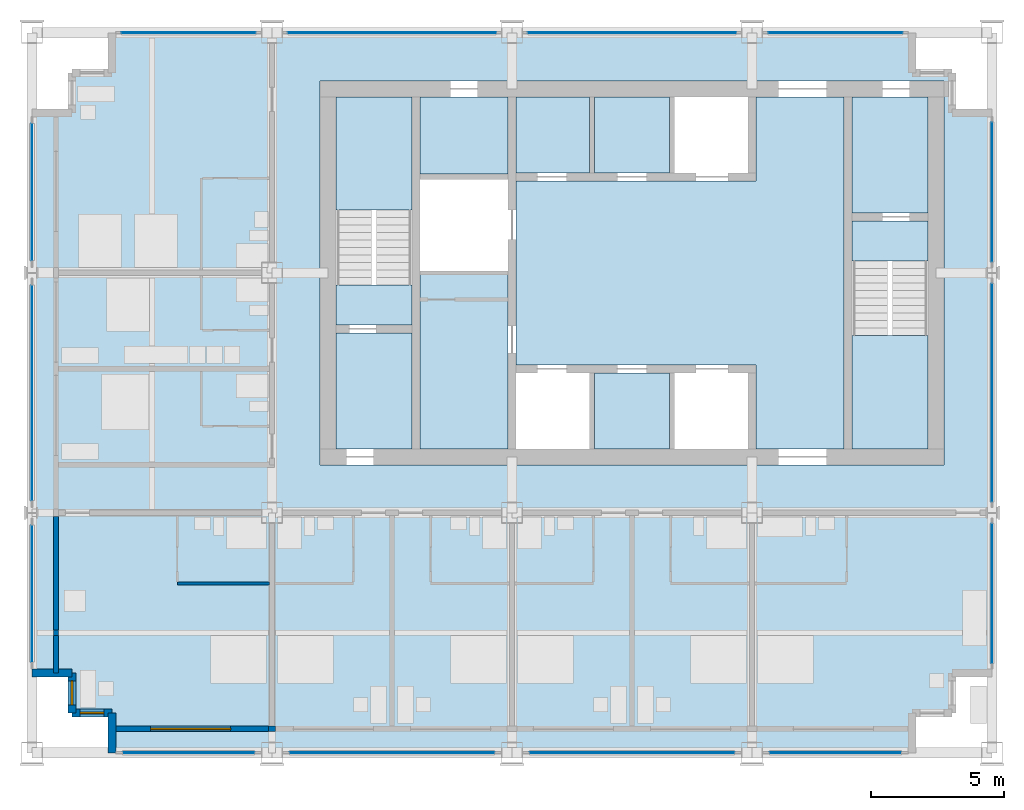
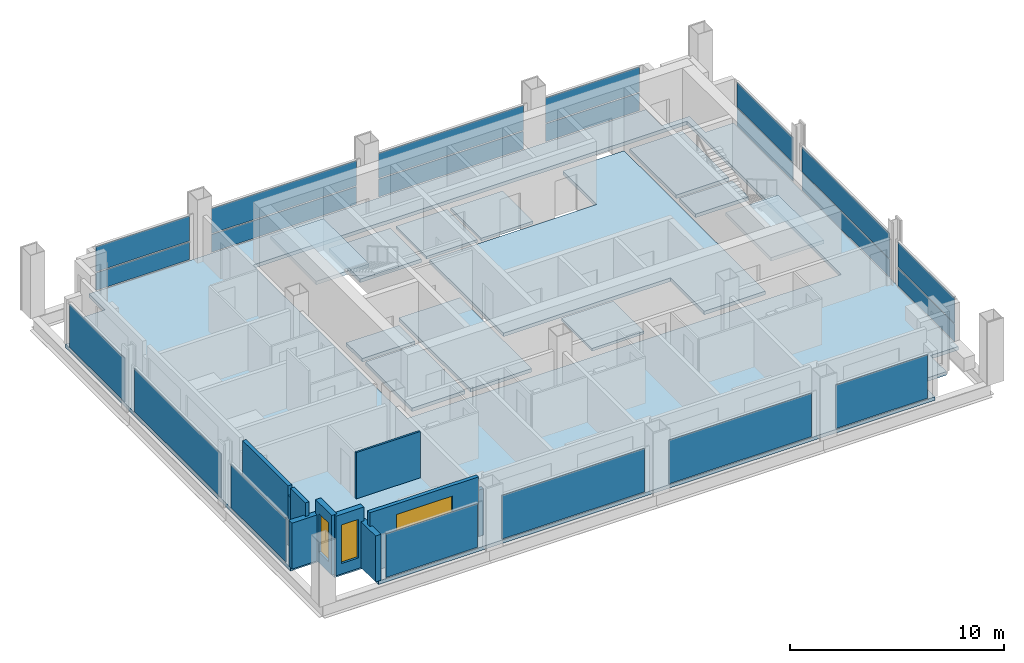
# One storey, part 5 of 12: 21 plates, 13 slabs, 10 walls, 3 windows, 3 openings, 16 elements without a shape of their own.
"""IFC4 building model written with IfcOpenShell, lengths in metres."""

from ifc_helpers import new_model, si_unit, direction, frame, frame_2d, origin, origin_2d, place, context, subcontext, project, spatial, polyline, rectangle, outline, extrude, material, layer, layer_set, type_object, element, fill, aggregate, save


model = new_model("IFC4")

# Units and contexts
model_context = context("Model", 3, precision=1e-05, world=origin(), true_north=direction((0.0, 1.0)))
body_context = subcontext(model_context, "Body", "Model", "MODEL_VIEW")
ifc_project = project(units=[si_unit("LENGTHUNIT", "METRE"), si_unit("AREAUNIT", "SQUARE_METRE"), si_unit("VOLUMEUNIT", "CUBIC_METRE"), si_unit("PLANEANGLEUNIT", "RADIAN"), si_unit("MASSUNIT", "GRAM", prefix="KILO")], contexts=[model_context])

# Site, building, storey
site_placement = place(None, origin())
site = spatial("IfcSite", under=ifc_project, at=site_placement, CompositionType="ELEMENT")
building_placement = place(site_placement, origin())
building = spatial("IfcBuilding", under=site, at=building_placement, Name="Loomwork Tower", CompositionType="ELEMENT")
storey_placement = place(building_placement, frame((0.0, 0.0, 251.800048828125)))
storey = spatial("IfcBuildingStorey", under=building, at=storey_placement, Name="L69", CompositionType="ELEMENT", Elevation=251.800048828125)

# Slabs
ifc_material_1 = material(Name="Concrete 5000 psi (34 MPa) on composite metal deck", Category="concrete")
ifc_layer_1 = layer(ifc_material_1, 0.199951171875)
ifc_layer_set_1 = layer_set([ifc_layer_1], Name="Floor slab 200")
slab_type_1 = type_object("IfcSlabType", Name="Floor slab 200", PredefinedType="FLOOR", material=ifc_layer_set_1)
slab_1_placement = place(storey_placement, frame((0.0, 0.0, -0.199951171875)))
element("IfcSlab", 1, at=slab_1_placement, inside=storey, type_object=slab_type_1, Name="Floor slab L69", PredefinedType="FLOOR", context=body_context, shape_type="SweptSolid", body=[
    extrude(outline(polyline([(3.0, 1.5), (1.5, 1.5), (1.5, 3.0), (0.0, 3.0), (0.0, 24.0), (1.5, 24.0), (1.5, 25.5), (3.0, 25.5), (3.0, 27.0), (33.0, 27.0), (33.0, 25.5), (34.5, 25.5), (34.5, 24.0), (36.0, 24.0), (36.0, 3.0), (34.5, 3.0), (34.5, 1.5), (33.0, 1.5), (33.0, 0.0), (3.0, 0.0), (3.0, 1.5)]), holes=[polyline([(10.800048828125, 11.39990234375), (10.800048828125, 11.39990234375), (10.800048828125, 10.800048828125), (34.199951171875, 10.800048828125), (34.199951171875, 11.39990234375), (34.199951171875, 11.39990234375), (34.199951171875, 24.60009765625), (34.199951171875, 25.199951171875), (10.800048828125, 25.199951171875), (10.800048828125, 24.60009765625), (10.800048828125, 11.39990234375)])]), origin(), (0.0, 0.0, 1.0), 0.199951171875),
])
slab_2_placement = place(storey_placement, frame((0.0, 0.0, -0.199951171875)))
element("IfcSlab", 2, at=slab_2_placement, inside=storey, type_object=slab_type_1, Name="Floor slab L69", PredefinedType="FLOOR", context=body_context, shape_type="SweptSolid", body=[
    extrude(outline(polyline([(30.449951171875, 24.60009765625), (30.449951171875, 11.39990234375), (27.14990234375, 11.39990234375), (27.14990234375, 14.25), (27.14990234375, 14.550048828125), (18.14990234375, 14.550048828125), (18.14990234375, 21.449951171875), (27.14990234375, 21.449951171875), (27.14990234375, 21.75), (27.14990234375, 24.60009765625), (30.449951171875, 24.60009765625)])), origin(), (0.0, 0.0, 1.0), 0.199951171875),
])
slab_3_placement = place(storey_placement, frame((0.0, 0.0, -0.199951171875)))
element("IfcSlab", 3, at=slab_3_placement, inside=storey, type_object=slab_type_1, Name="Floor slab L69", PredefinedType="FLOOR", context=body_context, shape_type="SweptSolid", body=[
    extrude(outline(polyline([(14.550048828125, 11.39990234375), (14.550048828125, 18.074951171875), (17.85009765625, 18.074951171875), (17.85009765625, 11.39990234375), (14.550048828125, 11.39990234375)])), origin(), (0.0, 0.0, 1.0), 0.199951171875),
])
slab_4_placement = place(storey_placement, frame((0.0, 0.0, -0.199951171875)))
element("IfcSlab", 4, at=slab_4_placement, inside=storey, type_object=slab_type_1, Name="Floor slab L69", PredefinedType="FLOOR", context=body_context, shape_type="SweptSolid", body=[
    extrude(outline(polyline([(33.60009765625, 20.25), (30.75, 20.25), (30.75, 24.60009765625), (33.60009765625, 24.60009765625), (33.60009765625, 20.25)])), origin(), (0.0, 0.0, 1.0), 0.199951171875),
])
slab_5_placement = place(storey_placement, frame((0.0, 0.0, -0.199951171875)))
element("IfcSlab", 5, at=slab_5_placement, inside=storey, type_object=slab_type_1, Name="Floor slab L69", PredefinedType="FLOOR", context=body_context, shape_type="SweptSolid", body=[
    extrude(outline(polyline([(14.25, 15.75), (14.25, 11.39990234375), (11.39990234375, 11.39990234375), (11.39990234375, 15.75), (14.25, 15.75)])), origin(), (0.0, 0.0, 1.0), 0.199951171875),
])
slab_6_placement = place(storey_placement, frame((0.0, 0.0, -0.199951171875)))
element("IfcSlab", 6, at=slab_6_placement, inside=storey, type_object=slab_type_1, Name="Floor slab L69", PredefinedType="FLOOR", context=body_context, shape_type="SweptSolid", body=[
    extrude(outline(polyline([(14.550048828125, 21.699951171875), (14.550048828125, 24.60009765625), (17.85009765625, 24.60009765625), (17.85009765625, 21.699951171875), (14.550048828125, 21.699951171875)])), origin(), (0.0, 0.0, 1.0), 0.199951171875),
])

# Curtain wall, plate
ifc_material_2 = material(Name="Aluminium curtain wall frame", Category="aluminium")
curtain_wall_type_1 = type_object("IfcCurtainWallType", Name="Outer skin glazing suites", PredefinedType="NOTDEFINED", material=ifc_material_2)
curtain_wall_1_placement = place(storey_placement, origin())
curtain_wall_1 = element("IfcCurtainWall", 7, at=curtain_wall_1_placement, inside=storey, type_object=curtain_wall_type_1, Name="Outer skin glazing suites cw/S-0", PredefinedType="NOTDEFINED")
ifc_material_3 = material(Name="Clear laminated glass", Category="glass")
ifc_layer_2 = layer(ifc_material_3, 0.02392578125)
ifc_layer_set_2 = layer_set([ifc_layer_2], Name="Outer skin glazing suites panel")
plate_type_1 = type_object("IfcPlateType", Name="Outer skin glazing suites panel", PredefinedType="CURTAIN_PANEL", material=ifc_layer_set_2)
plate_1_placement = place(storey_placement, frame((5.875, 0.0, 0.06494140625), z_axis=(0.0, 0.0, 1.0), x_axis=(1.0, 0.0, 0.0)))
plate_1 = element("IfcPlate", 8, at=plate_1_placement, type_object=plate_type_1, Name="CW2 panel 1.1", PredefinedType="CURTAIN_PANEL", context=body_context, shape_type="SweptSolid", body=[
    extrude(rectangle(XDim=4.949951171875, YDim=0.02392578125, at=origin_2d()), origin(), (0.0, 0.0, 1.0), 2.490234375),
])
aggregate(curtain_wall_1, [plate_1])

curtain_wall_2_placement = place(storey_placement, origin())
curtain_wall_2 = element("IfcCurtainWall", 9, at=curtain_wall_2_placement, inside=storey, type_object=curtain_wall_type_1, Name="Outer skin glazing suites cw/S-9", PredefinedType="NOTDEFINED")
plate_2_placement = place(storey_placement, frame((13.5, 0.0, 0.06494140625), z_axis=(0.0, 0.0, 1.0), x_axis=(1.0, 0.0, 0.0)))
plate_2 = element("IfcPlate", 10, at=plate_2_placement, type_object=plate_type_1, Name="CW2 panel 1.1", PredefinedType="CURTAIN_PANEL", context=body_context, shape_type="SweptSolid", body=[
    extrude(rectangle(XDim=7.699951171875, YDim=0.02392578125, at=origin_2d()), origin(), (0.0, 0.0, 1.0), 2.490234375),
])
aggregate(curtain_wall_2, [plate_2])

curtain_wall_3_placement = place(storey_placement, origin())
curtain_wall_3 = element("IfcCurtainWall", 11, at=curtain_wall_3_placement, inside=storey, type_object=curtain_wall_type_1, Name="Outer skin glazing suites cw/S-18", PredefinedType="NOTDEFINED")
plate_3_placement = place(storey_placement, frame((22.5, 0.0, 0.06494140625), z_axis=(0.0, 0.0, 1.0), x_axis=(1.0, 0.0, 0.0)))
plate_3 = element("IfcPlate", 12, at=plate_3_placement, type_object=plate_type_1, Name="CW2 panel 1.1", PredefinedType="CURTAIN_PANEL", context=body_context, shape_type="SweptSolid", body=[
    extrude(rectangle(XDim=7.699951171875, YDim=0.02392578125, at=origin_2d()), origin(), (0.0, 0.0, 1.0), 2.490234375),
])
aggregate(curtain_wall_3, [plate_3])

curtain_wall_4_placement = place(storey_placement, origin())
curtain_wall_4 = element("IfcCurtainWall", 13, at=curtain_wall_4_placement, inside=storey, type_object=curtain_wall_type_1, Name="Outer skin glazing suites cw/S-27", PredefinedType="NOTDEFINED")
plate_4_placement = place(storey_placement, frame((30.125, 0.0, 0.06494140625), z_axis=(0.0, 0.0, 1.0), x_axis=(1.0, 0.0, 0.0)))
plate_4 = element("IfcPlate", 14, at=plate_4_placement, type_object=plate_type_1, Name="CW2 panel 1.1", PredefinedType="CURTAIN_PANEL", context=body_context, shape_type="SweptSolid", body=[
    extrude(rectangle(XDim=4.949951171875, YDim=0.02392578125, at=origin_2d()), origin(), (0.0, 0.0, 1.0), 2.490234375),
])
aggregate(curtain_wall_4, [plate_4])

curtain_wall_5_placement = place(storey_placement, origin())
curtain_wall_5 = element("IfcCurtainWall", 15, at=curtain_wall_5_placement, inside=storey, type_object=curtain_wall_type_1, Name="Outer skin glazing suites cw/W-0", PredefinedType="NOTDEFINED")
plate_5_placement = place(storey_placement, frame((0.0, 5.970947265625, 0.06494140625), z_axis=(0.0, 0.0, 1.0), x_axis=(0.0, -1.0, 0.0)))
plate_5 = element("IfcPlate", 16, at=plate_5_placement, type_object=plate_type_1, Name="CW2 panel 1.1", PredefinedType="CURTAIN_PANEL", context=body_context, shape_type="SweptSolid", body=[
    extrude(rectangle(XDim=5.1416015625, YDim=0.02392578125, at=origin_2d()), origin(), (0.0, 0.0, 1.0), 2.490234375),
])
aggregate(curtain_wall_5, [plate_5])

curtain_wall_6_placement = place(storey_placement, origin())
curtain_wall_6 = element("IfcCurtainWall", 17, at=curtain_wall_6_placement, inside=storey, type_object=curtain_wall_type_1, Name="Outer skin glazing suites cw/W-9", PredefinedType="NOTDEFINED")
plate_6_placement = place(storey_placement, frame((0.0, 13.5, 0.06494140625), z_axis=(0.0, 0.0, 1.0), x_axis=(0.0, -1.0, 0.0)))
plate_6 = element("IfcPlate", 18, at=plate_6_placement, type_object=plate_type_1, Name="CW2 panel 1.1", PredefinedType="CURTAIN_PANEL", context=body_context, shape_type="SweptSolid", body=[
    extrude(rectangle(XDim=8.08349609375, YDim=0.02392578125, at=origin_2d()), origin(), (0.0, 0.0, 1.0), 2.490234375),
])
aggregate(curtain_wall_6, [plate_6])

curtain_wall_7_placement = place(storey_placement, origin())
curtain_wall_7 = element("IfcCurtainWall", 19, at=curtain_wall_7_placement, inside=storey, type_object=curtain_wall_type_1, Name="Outer skin glazing suites cw/W-18", PredefinedType="NOTDEFINED")
plate_7_placement = place(storey_placement, frame((0.0, 21.029052734375, 0.06494140625), z_axis=(0.0, 0.0, 1.0), x_axis=(0.0, -1.0, 0.0)))
plate_7 = element("IfcPlate", 20, at=plate_7_placement, type_object=plate_type_1, Name="CW2 panel 1.1", PredefinedType="CURTAIN_PANEL", context=body_context, shape_type="SweptSolid", body=[
    extrude(rectangle(XDim=5.1416015625, YDim=0.02392578125, at=origin_2d()), origin(), (0.0, 0.0, 1.0), 2.490234375),
])
aggregate(curtain_wall_7, [plate_7])

# Slabs
ifc_material_4 = material(Name="Concrete 5000 psi (34 MPa) on composite metal deck", Category="concrete")
ifc_layer_3 = layer(ifc_material_4, 0.14990234375)
ifc_layer_set_3 = layer_set([ifc_layer_3], Name="Shaft infill floor 150")
slab_type_2 = type_object("IfcSlabType", Name="Shaft infill floor 150", PredefinedType="FLOOR", material=ifc_layer_set_3)
slab_7_placement = place(storey_placement, frame((0.0, 0.0, -0.150146484375)))
element("IfcSlab", 21, at=slab_7_placement, inside=storey, type_object=slab_type_2, Name="Shaft infill floor LS1 L69", PredefinedType="FLOOR", context=body_context, shape_type="SweptSolid", body=[
    extrude(outline(polyline([(18.14990234375, 21.75), (20.89990234375, 21.75), (20.89990234375, 24.60009765625), (18.14990234375, 24.60009765625), (18.14990234375, 21.75)])), origin(), (0.0, 0.0, 1.0), 0.150146484375),
])
slab_8_placement = place(storey_placement, frame((0.0, 0.0, -0.150146484375)))
element("IfcSlab", 22, at=slab_8_placement, inside=storey, type_object=slab_type_2, Name="Shaft infill floor LS2 L69", PredefinedType="FLOOR", context=body_context, shape_type="SweptSolid", body=[
    extrude(outline(polyline([(21.10009765625, 21.75), (23.89990234375, 21.75), (23.89990234375, 24.60009765625), (21.10009765625, 24.60009765625), (21.10009765625, 21.75)])), origin(), (0.0, 0.0, 1.0), 0.150146484375),
])
slab_9_placement = place(storey_placement, frame((0.0, 0.0, -0.150146484375)))
element("IfcSlab", 23, at=slab_9_placement, inside=storey, type_object=slab_type_2, Name="Shaft infill floor S2 L69", PredefinedType="FLOOR", context=body_context, shape_type="SweptSolid", body=[
    extrude(outline(polyline([(21.10009765625, 11.39990234375), (23.89990234375, 11.39990234375), (23.89990234375, 14.25), (21.10009765625, 14.25), (21.10009765625, 11.39990234375)])), origin(), (0.0, 0.0, 1.0), 0.150146484375),
])

# Curtain wall, plates
ifc_material_5 = material(Name="Aluminium curtain wall frame", Category="aluminium")
curtain_wall_type_2 = type_object("IfcCurtainWallType", Name="Single skin glazing corridor", PredefinedType="NOTDEFINED", material=ifc_material_5)
curtain_wall_8_placement = place(storey_placement, origin())
curtain_wall_8 = element("IfcCurtainWall", 24, at=curtain_wall_8_placement, inside=storey, type_object=curtain_wall_type_2, Name="Single skin glazing corridor cw/N-0", PredefinedType="NOTDEFINED")
ifc_material_6 = material(Name="Clear insulated glass", Category="glass")
ifc_layer_4 = layer(ifc_material_6, 0.031982421875)
ifc_layer_set_4 = layer_set([ifc_layer_4], Name="Single skin glazing corridor panel")
plate_type_2 = type_object("IfcPlateType", Name="Single skin glazing corridor panel", PredefinedType="CURTAIN_PANEL", material=ifc_layer_set_4)
plate_8_placement = place(storey_placement, frame((5.875, 27.0, 0.06494140625), z_axis=(0.0, 0.0, 1.0), x_axis=(-1.0, 0.0, 0.0)))
plate_8 = element("IfcPlate", 25, at=plate_8_placement, type_object=plate_type_2, Name="CW3 panel 1.1", PredefinedType="CURTAIN_PANEL", context=body_context, shape_type="SweptSolid", body=[
    extrude(rectangle(XDim=5.050048828125, YDim=0.031982421875, at=origin_2d()), origin(), (0.0, 0.0, 1.0), 1.00244140625),
])
plate_9_placement = place(storey_placement, frame((5.875, 27.0, 1.13232421875), z_axis=(0.0, 0.0, 1.0), x_axis=(-1.0, 0.0, 0.0)))
plate_9 = element("IfcPlate", 26, at=plate_9_placement, type_object=plate_type_2, Name="CW3 panel 1.2", PredefinedType="CURTAIN_PANEL", context=body_context, shape_type="SweptSolid", body=[
    extrude(rectangle(XDim=5.050048828125, YDim=0.031982421875, at=origin_2d()), origin(), (0.0, 0.0, 1.0), 1.422607421875),
])
aggregate(curtain_wall_8, [plate_8, plate_9])

curtain_wall_9_placement = place(storey_placement, origin())
curtain_wall_9 = element("IfcCurtainWall", 27, at=curtain_wall_9_placement, inside=storey, type_object=curtain_wall_type_2, Name="Single skin glazing corridor cw/N-9", PredefinedType="NOTDEFINED")
plate_10_placement = place(storey_placement, frame((13.5, 27.0, 0.06494140625), z_axis=(0.0, 0.0, 1.0), x_axis=(-1.0, 0.0, 0.0)))
plate_10 = element("IfcPlate", 28, at=plate_10_placement, type_object=plate_type_2, Name="CW3 panel 1.1", PredefinedType="CURTAIN_PANEL", context=body_context, shape_type="SweptSolid", body=[
    extrude(rectangle(XDim=7.800048828125, YDim=0.031982421875, at=origin_2d()), origin(), (0.0, 0.0, 1.0), 1.00244140625),
])
plate_11_placement = place(storey_placement, frame((13.5, 27.0, 1.13232421875), z_axis=(0.0, 0.0, 1.0), x_axis=(-1.0, 0.0, 0.0)))
plate_11 = element("IfcPlate", 29, at=plate_11_placement, type_object=plate_type_2, Name="CW3 panel 1.2", PredefinedType="CURTAIN_PANEL", context=body_context, shape_type="SweptSolid", body=[
    extrude(rectangle(XDim=7.800048828125, YDim=0.031982421875, at=origin_2d()), origin(), (0.0, 0.0, 1.0), 1.422607421875),
])
aggregate(curtain_wall_9, [plate_10, plate_11])

curtain_wall_10_placement = place(storey_placement, origin())
curtain_wall_10 = element("IfcCurtainWall", 30, at=curtain_wall_10_placement, inside=storey, type_object=curtain_wall_type_2, Name="Single skin glazing corridor cw/N-18", PredefinedType="NOTDEFINED")
plate_12_placement = place(storey_placement, frame((22.5, 27.0, 0.06494140625), z_axis=(0.0, 0.0, 1.0), x_axis=(-1.0, 0.0, 0.0)))
plate_12 = element("IfcPlate", 31, at=plate_12_placement, type_object=plate_type_2, Name="CW3 panel 1.1", PredefinedType="CURTAIN_PANEL", context=body_context, shape_type="SweptSolid", body=[
    extrude(rectangle(XDim=7.800048828125, YDim=0.031982421875, at=origin_2d()), origin(), (0.0, 0.0, 1.0), 1.00244140625),
])
plate_13_placement = place(storey_placement, frame((22.5, 27.0, 1.13232421875), z_axis=(0.0, 0.0, 1.0), x_axis=(-1.0, 0.0, 0.0)))
plate_13 = element("IfcPlate", 32, at=plate_13_placement, type_object=plate_type_2, Name="CW3 panel 1.2", PredefinedType="CURTAIN_PANEL", context=body_context, shape_type="SweptSolid", body=[
    extrude(rectangle(XDim=7.800048828125, YDim=0.031982421875, at=origin_2d()), origin(), (0.0, 0.0, 1.0), 1.422607421875),
])
aggregate(curtain_wall_10, [plate_12, plate_13])

curtain_wall_11_placement = place(storey_placement, origin())
curtain_wall_11 = element("IfcCurtainWall", 33, at=curtain_wall_11_placement, inside=storey, type_object=curtain_wall_type_2, Name="Single skin glazing corridor cw/N-27", PredefinedType="NOTDEFINED")
plate_14_placement = place(storey_placement, frame((30.125, 27.0, 0.06494140625), z_axis=(0.0, 0.0, 1.0), x_axis=(-1.0, 0.0, 0.0)))
plate_14 = element("IfcPlate", 34, at=plate_14_placement, type_object=plate_type_2, Name="CW3 panel 1.1", PredefinedType="CURTAIN_PANEL", context=body_context, shape_type="SweptSolid", body=[
    extrude(rectangle(XDim=5.050048828125, YDim=0.031982421875, at=origin_2d()), origin(), (0.0, 0.0, 1.0), 1.00244140625),
])
plate_15_placement = place(storey_placement, frame((30.125, 27.0, 1.13232421875), z_axis=(0.0, 0.0, 1.0), x_axis=(-1.0, 0.0, 0.0)))
plate_15 = element("IfcPlate", 35, at=plate_15_placement, type_object=plate_type_2, Name="CW3 panel 1.2", PredefinedType="CURTAIN_PANEL", context=body_context, shape_type="SweptSolid", body=[
    extrude(rectangle(XDim=5.050048828125, YDim=0.031982421875, at=origin_2d()), origin(), (0.0, 0.0, 1.0), 1.422607421875),
])
aggregate(curtain_wall_11, [plate_14, plate_15])

curtain_wall_12_placement = place(storey_placement, origin())
curtain_wall_12 = element("IfcCurtainWall", 36, at=curtain_wall_12_placement, inside=storey, type_object=curtain_wall_type_2, Name="Single skin glazing corridor cw/E-0", PredefinedType="NOTDEFINED")
plate_16_placement = place(storey_placement, frame((36.0, 5.970947265625, 0.06494140625), z_axis=(0.0, 0.0, 1.0), x_axis=(0.0, 1.0, 0.0)))
plate_16 = element("IfcPlate", 37, at=plate_16_placement, type_object=plate_type_2, Name="CW3 panel 1.1", PredefinedType="CURTAIN_PANEL", context=body_context, shape_type="SweptSolid", body=[
    extrude(rectangle(XDim=5.24169921875, YDim=0.031982421875, at=origin_2d()), origin(), (0.0, 0.0, 1.0), 1.00244140625),
])
plate_17_placement = place(storey_placement, frame((36.0, 5.970947265625, 1.13232421875), z_axis=(0.0, 0.0, 1.0), x_axis=(0.0, 1.0, 0.0)))
plate_17 = element("IfcPlate", 38, at=plate_17_placement, type_object=plate_type_2, Name="CW3 panel 1.2", PredefinedType="CURTAIN_PANEL", context=body_context, shape_type="SweptSolid", body=[
    extrude(rectangle(XDim=5.24169921875, YDim=0.031982421875, at=origin_2d()), origin(), (0.0, 0.0, 1.0), 1.422607421875),
])
aggregate(curtain_wall_12, [plate_16, plate_17])

curtain_wall_13_placement = place(storey_placement, origin())
curtain_wall_13 = element("IfcCurtainWall", 39, at=curtain_wall_13_placement, inside=storey, type_object=curtain_wall_type_2, Name="Single skin glazing corridor cw/E-9", PredefinedType="NOTDEFINED")
plate_18_placement = place(storey_placement, frame((36.0, 13.5, 0.06494140625), z_axis=(0.0, 0.0, 1.0), x_axis=(0.0, 1.0, 0.0)))
plate_18 = element("IfcPlate", 40, at=plate_18_placement, type_object=plate_type_2, Name="CW3 panel 1.1", PredefinedType="CURTAIN_PANEL", context=body_context, shape_type="SweptSolid", body=[
    extrude(rectangle(XDim=8.183349609375, YDim=0.031982421875, at=origin_2d()), origin(), (0.0, 0.0, 1.0), 1.00244140625),
])
plate_19_placement = place(storey_placement, frame((36.0, 13.5, 1.13232421875), z_axis=(0.0, 0.0, 1.0), x_axis=(0.0, 1.0, 0.0)))
plate_19 = element("IfcPlate", 41, at=plate_19_placement, type_object=plate_type_2, Name="CW3 panel 1.2", PredefinedType="CURTAIN_PANEL", context=body_context, shape_type="SweptSolid", body=[
    extrude(rectangle(XDim=8.183349609375, YDim=0.031982421875, at=origin_2d()), origin(), (0.0, 0.0, 1.0), 1.422607421875),
])
aggregate(curtain_wall_13, [plate_18, plate_19])

curtain_wall_14_placement = place(storey_placement, origin())
curtain_wall_14 = element("IfcCurtainWall", 42, at=curtain_wall_14_placement, inside=storey, type_object=curtain_wall_type_2, Name="Single skin glazing corridor cw/E-18", PredefinedType="NOTDEFINED")
plate_20_placement = place(storey_placement, frame((36.0, 21.029052734375, 0.06494140625), z_axis=(0.0, 0.0, 1.0), x_axis=(0.0, 1.0, 0.0)))
plate_20 = element("IfcPlate", 43, at=plate_20_placement, type_object=plate_type_2, Name="CW3 panel 1.1", PredefinedType="CURTAIN_PANEL", context=body_context, shape_type="SweptSolid", body=[
    extrude(rectangle(XDim=5.24169921875, YDim=0.031982421875, at=origin_2d()), origin(), (0.0, 0.0, 1.0), 1.00244140625),
])
plate_21_placement = place(storey_placement, frame((36.0, 21.029052734375, 1.13232421875), z_axis=(0.0, 0.0, 1.0), x_axis=(0.0, 1.0, 0.0)))
plate_21 = element("IfcPlate", 44, at=plate_21_placement, type_object=plate_type_2, Name="CW3 panel 1.2", PredefinedType="CURTAIN_PANEL", context=body_context, shape_type="SweptSolid", body=[
    extrude(rectangle(XDim=5.24169921875, YDim=0.031982421875, at=origin_2d()), origin(), (0.0, 0.0, 1.0), 1.422607421875),
])
aggregate(curtain_wall_14, [plate_20, plate_21])

# Stair, slabs
ifc_material_7 = material(Name="Concrete 5000 psi (34 MPa) precast stair", Category="concrete")
stair_type_1 = type_object("IfcStairType", Name="Stair ST-A 22 risers 2850 wide", PredefinedType="HALF_TURN_STAIR", material=ifc_material_7)
stair_1_placement = place(storey_placement, origin())
stair_1 = element("IfcStair", 45, at=stair_1_placement, inside=storey, type_object=stair_type_1, Name="Stair A L69", PredefinedType="HALF_TURN_STAIR")
ifc_material_8 = material(Name="Concrete 5000 psi (34 MPa)", Category="concrete")
ifc_layer_5 = layer(ifc_material_8, 0.199951171875)
ifc_layer_set_5 = layer_set([ifc_layer_5], Name="Stair landing 200")
slab_type_3 = type_object("IfcSlabType", Name="Stair landing 200", PredefinedType="LANDING", material=ifc_layer_set_5)
slab_10_placement = place(storey_placement, frame((0.0, 0.0, -0.199951171875)))
slab_10 = element("IfcSlab", 46, at=slab_10_placement, type_object=slab_type_3, Name="ST-A landing 1", PredefinedType="LANDING", context=body_context, shape_type="SweptSolid", body=[
    extrude(outline(polyline([(11.39990234375, 16.050048828125), (14.25, 16.050048828125), (14.25, 17.550048828125), (11.39990234375, 17.550048828125), (11.39990234375, 16.050048828125)])), origin(), (0.0, 0.0, 1.0), 0.199951171875),
])
slab_11_placement = place(storey_placement, frame((0.0, 0.0, 1.599853515625)))
slab_11 = element("IfcSlab", 47, at=slab_11_placement, type_object=slab_type_3, Name="ST-A landing 2", PredefinedType="LANDING", context=body_context, shape_type="SweptSolid", body=[
    extrude(outline(polyline([(11.39990234375, 20.35009765625), (14.25, 20.35009765625), (14.25, 24.60009765625), (11.39990234375, 24.60009765625), (11.39990234375, 20.35009765625)])), origin(), (0.0, 0.0, 1.0), 0.2001953125),
])
aggregate(stair_1, [slab_10, slab_11])

ifc_material_9 = material(Name="Concrete 5000 psi (34 MPa) precast stair", Category="concrete")
stair_type_2 = type_object("IfcStairType", Name="Stair ST-B 22 risers 2850 wide", PredefinedType="HALF_TURN_STAIR", material=ifc_material_9)
stair_2_placement = place(storey_placement, origin())
stair_2 = element("IfcStair", 48, at=stair_2_placement, inside=storey, type_object=stair_type_2, Name="Stair B L69", PredefinedType="HALF_TURN_STAIR")
slab_12_placement = place(storey_placement, frame((0.0, 0.0, -0.199951171875)))
slab_12 = element("IfcSlab", 49, at=slab_12_placement, type_object=slab_type_3, Name="ST-B landing 1", PredefinedType="LANDING", context=body_context, shape_type="SweptSolid", body=[
    extrude(outline(polyline([(30.75, 18.449951171875), (33.60009765625, 18.449951171875), (33.60009765625, 19.949951171875), (30.75, 19.949951171875), (30.75, 18.449951171875)])), origin(), (0.0, 0.0, 1.0), 0.199951171875),
])
slab_13_placement = place(storey_placement, frame((0.0, 0.0, 1.599853515625)))
slab_13 = element("IfcSlab", 50, at=slab_13_placement, type_object=slab_type_3, Name="ST-B landing 2", PredefinedType="LANDING", context=body_context, shape_type="SweptSolid", body=[
    extrude(outline(polyline([(30.75, 11.39990234375), (33.60009765625, 11.39990234375), (33.60009765625, 15.64990234375), (30.75, 15.64990234375), (30.75, 11.39990234375)])), origin(), (0.0, 0.0, 1.0), 0.2001953125),
])
aggregate(stair_2, [slab_12, slab_13])

# Wall
ifc_material_10 = material(Name="Cement board on steel studs", Category="steel")
ifc_layer_6 = layer(ifc_material_10, 0.10009765625)
ifc_layer_set_6 = layer_set([ifc_layer_6], Name="En-suite partition 100")
wall_type_1 = type_object("IfcWallType", Name="En-suite partition 100", PredefinedType="PARTITIONING", material=ifc_layer_set_6)
wall_1_placement = place(storey_placement, frame((5.449951171875, 6.35009765625, 0.0), z_axis=(0.0, 0.0, 1.0), x_axis=(1.0, 0.0, 0.0)))
element("IfcWall", 51, at=wall_1_placement, inside=storey, type_object=wall_type_1, Name="En-suite wall L69 room 1", PredefinedType="PARTITIONING", context=body_context, shape_type="SweptSolid", body=[
    extrude(rectangle(XDim=3.449951171875, YDim=0.10009765625, at=frame_2d((1.72509765625, 0.0))), origin(), (0.0, 0.0, 1.0), 2.637939453125),
])

# Wall, opening, window
ifc_material_11 = material(Name="Insulated steel stud wall with gypsum lining", Category="steel")
ifc_layer_7 = layer(ifc_material_11, 0.199951171875)
ifc_layer_set_7 = layer_set([ifc_layer_7], Name="Inner skin wall 200")
wall_type_2 = type_object("IfcWallType", Name="Inner skin wall 200", PredefinedType="SOLIDWALL", material=ifc_layer_set_7)
wall_2_placement = place(storey_placement, frame((3.0, 0.89990234375, 0.0), z_axis=(0.0, 0.0, 1.0), x_axis=(1.0, 0.0, 0.0)))
wall_2 = element("IfcWall", 52, at=wall_2_placement, inside=storey, type_object=wall_type_2, Name="Inner skin wall S", PredefinedType="SOLIDWALL", context=body_context, shape_type="SweptSolid", body=[
    extrude(rectangle(XDim=5.86474609375, YDim=0.199951171875, at=frame_2d((2.932373046875, 0.0))), origin(), (0.0, 0.0, 1.0), 3.39990234375),
])
opening_1_placement = place(wall_2_placement, frame((1.449951171875, 0.0, 0.60009765625)))
opening_1 = element("IfcOpeningElement", 53, at=opening_1_placement, cuts=wall_2, Name="Opening CH1", PredefinedType="OPENING", context=body_context, shape_type="SweptSolid", body=[
    extrude(rectangle(XDim=3.0, YDim=2.199951171875, at=frame_2d((1.5, 1.10009765625))), frame((0.0, 0.10986328125, 0.0), z_axis=(0.0, -1.0, 0.0), x_axis=(1.0, 0.0, 0.0)), (0.0, 0.0, 1.0), 0.219970703125),
])
ifc_material_12 = material(Name="Aluminium frame with clear insulated glass", Category="aluminium")
window_type_1 = type_object("IfcWindowType", Name="Chicago window 3000", PartitioningType="TRIPLE_PANEL_VERTICAL", PredefinedType="WINDOW", material=ifc_material_12)
window_1_placement = place(opening_1_placement, origin())
window_1 = element("IfcWindow", 54, at=window_1_placement, inside=storey, type_object=window_type_1, Name="Chicago window L69 bay 1", OverallHeight=2.199951171875, OverallWidth=3.0, PartitioningType="TRIPLE_PANEL_VERTICAL", PredefinedType="WINDOW", context=body_context, shape_type="SweptSolid", body=[
    extrude(rectangle(XDim=3.0, YDim=2.199951171875, at=frame_2d((1.5, 1.10009765625))), frame((0.0, 0.030029296875, 0.0), z_axis=(0.0, -1.0, 0.0), x_axis=(1.0, 0.0, 0.0)), (0.0, 0.0, 1.0), 0.06005859375),
])
fill(opening_1, window_1)

# Walls
wall_3_placement = place(storey_placement, frame((0.89990234375, 3.0, 0.0), z_axis=(0.0, 0.0, 1.0), x_axis=(0.0, 1.0, 0.0)))
element("IfcWall", 55, at=wall_3_placement, inside=storey, type_object=wall_type_2, Name="Inner skin wall W", PredefinedType="SOLIDWALL", context=body_context, shape_type="SweptSolid", body=[
    extrude(rectangle(XDim=1.392578125, YDim=0.199951171875, at=frame_2d((0.6962890625, 0.0))), origin(), (0.0, 0.0, 1.0), 3.39990234375),
])
wall_4_placement = place(storey_placement, frame((8.86474609375, 0.89990234375, 0.0), z_axis=(0.0, 0.0, 1.0), x_axis=(1.0, 0.0, 0.0)))
element("IfcWall", 56, at=wall_4_placement, inside=storey, type_object=wall_type_2, Name="Inner skin wall S bay 2", PredefinedType="SOLIDWALL", context=body_context, shape_type="SweptSolid", body=[
    extrude(rectangle(XDim=0.2705078125, YDim=0.199951171875, at=frame_2d((0.13525390625, 0.0))), origin(), (0.0, 0.0, 1.0), 2.637939453125),
])
wall_5_placement = place(storey_placement, frame((0.89990234375, 4.392578125, 0.0), z_axis=(0.0, 0.0, 1.0), x_axis=(0.0, 1.0, 0.0)))
element("IfcWall", 57, at=wall_5_placement, inside=storey, type_object=wall_type_2, Name="Inner skin wall W bay 2", PredefinedType="SOLIDWALL", context=body_context, shape_type="SweptSolid", body=[
    extrude(rectangle(XDim=0.21484375, YDim=0.199951171875, at=frame_2d((0.107421875, 0.0))), origin(), (0.0, 0.0, 1.0), 2.86083984375),
])
wall_6_placement = place(storey_placement, frame((0.89990234375, 4.607421875, 0.0), z_axis=(0.0, 0.0, 1.0), x_axis=(0.0, 1.0, 0.0)))
element("IfcWall", 58, at=wall_6_placement, inside=storey, type_object=wall_type_2, Name="Inner skin wall W bay 3", PredefinedType="SOLIDWALL", context=body_context, shape_type="SweptSolid", body=[
    extrude(rectangle(XDim=4.25732421875, YDim=0.199951171875, at=frame_2d((2.128662109375, 0.0))), origin(), (0.0, 0.0, 1.0), 3.39990234375),
])
ifc_material_13 = material(Name="Limestone on concrete masonry", Category="masonry")
ifc_layer_8 = layer(ifc_material_13, 0.300048828125)
ifc_layer_set_8 = layer_set([ifc_layer_8], Name="Limestone corner wall 300")
wall_type_3 = type_object("IfcWallType", Name="Limestone corner wall 300", PredefinedType="SOLIDWALL", material=ifc_layer_set_8)
wall_7_placement = place(storey_placement, frame((0.0, 3.0, 0.0), z_axis=(0.0, 0.0, 1.0), x_axis=(1.0, 0.0, 0.0)))
element("IfcWall", 59, at=wall_7_placement, inside=storey, type_object=wall_type_3, Name="Stone corner wall SW 1", PredefinedType="SOLIDWALL", context=body_context, shape_type="SweptSolid", body=[
    extrude(rectangle(XDim=1.5, YDim=0.300048828125, at=frame_2d((0.75, 0.0))), origin(), (0.0, 0.0, 1.0), 2.619873046875),
])

# Wall, opening, window
wall_8_placement = place(storey_placement, frame((1.5, 3.0, 0.0), z_axis=(0.0, 0.0, 1.0), x_axis=(0.0, -1.0, 0.0)))
wall_8 = element("IfcWall", 60, at=wall_8_placement, inside=storey, type_object=wall_type_3, Name="Stone corner wall SW 2", PredefinedType="SOLIDWALL", context=body_context, shape_type="SweptSolid", body=[
    extrude(rectangle(XDim=1.5, YDim=0.300048828125, at=frame_2d((0.75, 0.0))), origin(), (0.0, 0.0, 1.0), 3.39990234375),
])
opening_2_placement = place(wall_8_placement, frame((0.300048828125, 0.0, 0.60009765625)))
opening_2 = element("IfcOpeningElement", 61, at=opening_2_placement, cuts=wall_8, Name="Opening CH2", PredefinedType="OPENING", context=body_context, shape_type="SweptSolid", body=[
    extrude(rectangle(XDim=0.89990234375, YDim=2.199951171875, at=frame_2d((0.449951171875, 1.10009765625))), frame((0.0, 0.159912109375, 0.0), z_axis=(0.0, -1.0, 0.0), x_axis=(1.0, 0.0, 0.0)), (0.0, 0.0, 1.0), 0.320068359375),
])
ifc_material_14 = material(Name="Aluminium frame with clear insulated glass", Category="aluminium")
window_type_2 = type_object("IfcWindowType", Name="Corner window 900", PartitioningType="SINGLE_PANEL", PredefinedType="WINDOW", material=ifc_material_14)
window_2_placement = place(opening_2_placement, origin())
window_2 = element("IfcWindow", 62, at=window_2_placement, inside=storey, type_object=window_type_2, Name="Corner window SW", OverallHeight=2.199951171875, OverallWidth=0.89990234375, PartitioningType="SINGLE_PANEL", PredefinedType="WINDOW", context=body_context, shape_type="SweptSolid", body=[
    extrude(rectangle(XDim=0.89990234375, YDim=2.199951171875, at=frame_2d((0.449951171875, 1.10009765625))), frame((0.0, 0.030029296875, 0.0), z_axis=(0.0, -1.0, 0.0), x_axis=(1.0, 0.0, 0.0)), (0.0, 0.0, 1.0), 0.06005859375),
])
fill(opening_2, window_2)

wall_9_placement = place(storey_placement, frame((1.5, 1.5, 0.0), z_axis=(0.0, 0.0, 1.0), x_axis=(1.0, 0.0, 0.0)))
wall_9 = element("IfcWall", 63, at=wall_9_placement, inside=storey, type_object=wall_type_3, Name="Stone corner wall SW 3", PredefinedType="SOLIDWALL", context=body_context, shape_type="SweptSolid", body=[
    extrude(rectangle(XDim=1.5, YDim=0.300048828125, at=frame_2d((0.75, 0.0))), origin(), (0.0, 0.0, 1.0), 3.39990234375),
])
opening_3_placement = place(wall_9_placement, frame((0.300048828125, 0.0, 0.60009765625)))
opening_3 = element("IfcOpeningElement", 64, at=opening_3_placement, cuts=wall_9, Name="Opening CH2", PredefinedType="OPENING", context=body_context, shape_type="SweptSolid", body=[
    extrude(rectangle(XDim=0.89990234375, YDim=2.199951171875, at=frame_2d((0.449951171875, 1.10009765625))), frame((0.0, 0.159912109375, 0.0), z_axis=(0.0, -1.0, 0.0), x_axis=(1.0, 0.0, 0.0)), (0.0, 0.0, 1.0), 0.320068359375),
])
window_3_placement = place(opening_3_placement, origin())
window_3 = element("IfcWindow", 65, at=window_3_placement, inside=storey, type_object=window_type_2, Name="Corner window SW", OverallHeight=2.199951171875, OverallWidth=0.89990234375, PartitioningType="SINGLE_PANEL", PredefinedType="WINDOW", context=body_context, shape_type="SweptSolid", body=[
    extrude(rectangle(XDim=0.89990234375, YDim=2.199951171875, at=frame_2d((0.449951171875, 1.10009765625))), frame((0.0, 0.030029296875, 0.0), z_axis=(0.0, -1.0, 0.0), x_axis=(1.0, 0.0, 0.0)), (0.0, 0.0, 1.0), 0.06005859375),
])
fill(opening_3, window_3)

# Wall
wall_10_placement = place(storey_placement, frame((3.0, 1.5, 0.0), z_axis=(0.0, 0.0, 1.0), x_axis=(0.0, -1.0, 0.0)))
element("IfcWall", 66, at=wall_10_placement, inside=storey, type_object=wall_type_3, Name="Stone corner wall SW 4", PredefinedType="SOLIDWALL", context=body_context, shape_type="SweptSolid", body=[
    extrude(rectangle(XDim=1.5, YDim=0.300048828125, at=frame_2d((0.75, 0.0))), origin(), (0.0, 0.0, 1.0), 2.619873046875),
])

save(model, "model.ifc")
